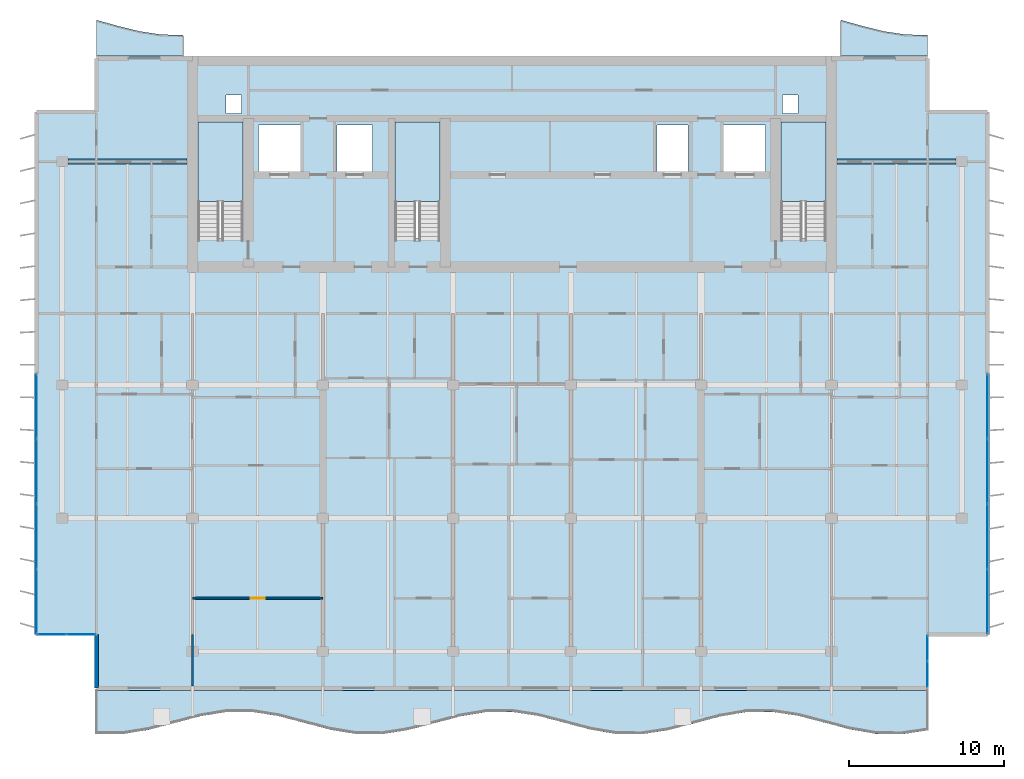
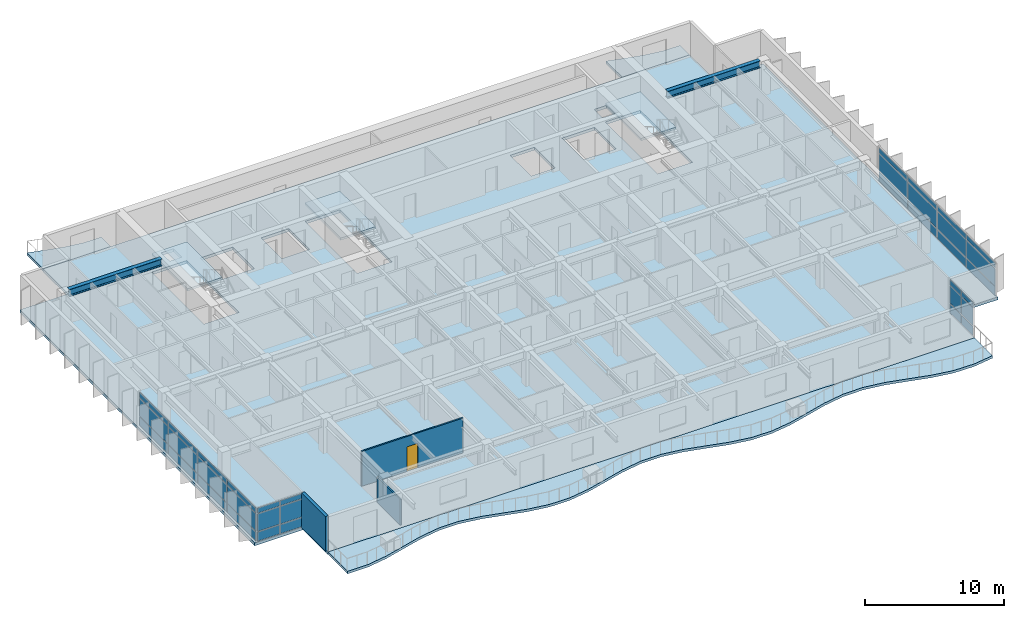
# One storey, part 5 of 16: 36 plates, 7 slabs, 3 walls, 2 beams, 1 door, 1 opening, 7 elements without a shape of their own.
"""IFC4 building model written with IfcOpenShell, lengths in metres."""

from ifc_helpers import new_model, si_unit, direction, frame, frame_2d, origin, origin_2d, place, context, subcontext, project, spatial, polyline, rectangle, i_section, outline, extrude, material, layer, layer_set, material_profile, profile_set, type_object, element, fill, aggregate, save


model = new_model("IFC4")

# Units and contexts
model_context = context("Model", 3, precision=1e-05, world=origin(), true_north=direction((0.0, 1.0)))
body_context = subcontext(model_context, "Body", "Model", "MODEL_VIEW")
ifc_project = project(units=[si_unit("LENGTHUNIT", "METRE"), si_unit("AREAUNIT", "SQUARE_METRE"), si_unit("VOLUMEUNIT", "CUBIC_METRE"), si_unit("PLANEANGLEUNIT", "RADIAN"), si_unit("MASSUNIT", "GRAM", prefix="KILO")], contexts=[model_context])

# Site, building, storey
site_placement = place(None, origin())
site = spatial("IfcSite", under=ifc_project, at=site_placement, CompositionType="ELEMENT")
building_placement = place(site_placement, origin())
building = spatial("IfcBuilding", under=site, at=building_placement, Name="Caelmar Bay Residences", CompositionType="ELEMENT")
storey_placement = place(building_placement, frame((0.0, 0.0, 239.699951171875)))
storey = spatial("IfcBuildingStorey", under=building, at=storey_placement, Name="L67", CompositionType="ELEMENT", Elevation=239.699951171875)

# Beams
ifc_material_1 = material(Name="Steel ASTM A992 Grade 50", Category="steel")
ifc_material_profile = material_profile(ifc_material_1, i_section(OverallWidth=0.324951171875, OverallDepth=0.616943359375, WebThickness=0.013916015625, FlangeThickness=0.021484375, FilletRadius=0.0126953125, at=origin_2d()), Name="W24X117")
ifc_profile_set = profile_set([ifc_material_profile], Name="Steel ASTM A992 Grade 50")
beam_type = type_object("IfcBeamType", Name="BM-SPN-W24X117", PredefinedType="SPANDREL", material=ifc_profile_set)
beam_1_placement = place(storey_placement, frame((10.264892578125, 43.800048828125, 2.741455078125), z_axis=(1.0, 0.0, 0.0), x_axis=(0.0, 1.0, 0.0)))
element("IfcBeam", 1, at=beam_1_placement, inside=storey, type_object=beam_type, Name="L67 North-West Wing Core Tie Girder", PredefinedType="SPANDREL", context=body_context, shape_type="SweptSolid", body=[
    extrude(i_section(OverallWidth=0.324951171875, OverallDepth=0.616943359375, WebThickness=0.013916015625, FlangeThickness=0.021484375, FilletRadius=0.0126953125, at=origin_2d()), origin(), (0.0, 0.0, 1.0), 7.68505859375),
])
beam_2_placement = place(storey_placement, frame((59.85009765625, 43.800048828125, 2.741455078125), z_axis=(1.0, 0.0, 0.0), x_axis=(0.0, 1.0, 0.0)))
element("IfcBeam", 2, at=beam_2_placement, inside=storey, type_object=beam_type, Name="L67 North-East Wing Core Tie Girder", PredefinedType="SPANDREL", context=body_context, shape_type="SweptSolid", body=[
    extrude(i_section(OverallWidth=0.324951171875, OverallDepth=0.616943359375, WebThickness=0.013916015625, FlangeThickness=0.021484375, FilletRadius=0.0126953125, at=origin_2d()), origin(), (0.0, 0.0, 1.0), 7.684814453125),
])

# Curtain wall, plates
ifc_material_2 = material(Name="Anodised bronze aluminium 6063-T6 and laminated glass", Category="aluminium")
ifc_layer_1 = layer(ifc_material_2, 0.179931640625)
ifc_layer_set_1 = layer_set([ifc_layer_1], Name="Anodised bronze aluminium 6063-T6 and laminated glass")
curtain_wall_type_1 = type_object("IfcCurtainWallType", Name="CW6-NTC", PredefinedType="NOTDEFINED", material=ifc_layer_set_1)
curtain_wall_1_placement = place(storey_placement, origin())
curtain_wall_1 = element("IfcCurtainWall", 3, at=curtain_wall_1_placement, inside=storey, type_object=curtain_wall_type_1, Name="CW6 curtain wall L67", PredefinedType="NOTDEFINED")
ifc_material_3 = material(Name="Bronze-tinted laminated low-E hurricane glass 28 mm", Category="glass")
ifc_layer_2 = layer(ifc_material_3, 0.028076171875)
ifc_layer_set_2 = layer_set([ifc_layer_2], Name="Bronze-tinted laminated low-E hurricane glass 28 mm")
plate_type_1 = type_object("IfcPlateType", Name="CWP-GLZ28", PredefinedType="CURTAIN_PANEL", material=ifc_layer_set_2)
plate_1_placement = place(storey_placement, frame((9.232421875, 13.300048828125, 0.080078125), z_axis=(0.0, 0.0, 1.0), x_axis=(1.0, 0.0, 0.0)))
plate_1 = element("IfcPlate", 4, at=plate_1_placement, type_object=plate_type_1, Name="CW6 panel 1.1", PredefinedType="CURTAIN_PANEL", context=body_context, shape_type="SweptSolid", body=[
    extrude(rectangle(XDim=1.804931640625, YDim=0.028076171875, at=origin_2d()), origin(), (0.0, 0.0, 1.0), 0.780029296875),
])
plate_2_placement = place(storey_placement, frame((9.232421875, 13.300048828125, 0.93994140625), z_axis=(0.0, 0.0, 1.0), x_axis=(1.0, 0.0, 0.0)))
plate_2 = element("IfcPlate", 5, at=plate_2_placement, type_object=plate_type_1, Name="CW6 panel 1.2", PredefinedType="CURTAIN_PANEL", context=body_context, shape_type="SweptSolid", body=[
    extrude(rectangle(XDim=1.804931640625, YDim=0.028076171875, at=origin_2d()), origin(), (0.0, 0.0, 1.0), 1.52001953125),
])
plate_3_placement = place(storey_placement, frame((9.232421875, 13.300048828125, 2.5400390625), z_axis=(0.0, 0.0, 1.0), x_axis=(1.0, 0.0, 0.0)))
plate_3 = element("IfcPlate", 6, at=plate_3_placement, type_object=plate_type_1, Name="CW6 panel 1.3", PredefinedType="CURTAIN_PANEL", context=body_context, shape_type="SweptSolid", body=[
    extrude(rectangle(XDim=1.804931640625, YDim=0.028076171875, at=origin_2d()), origin(), (0.0, 0.0, 1.0), 0.429931640625),
])
plate_4_placement = place(storey_placement, frame((11.117431640625, 13.300048828125, 0.080078125), z_axis=(0.0, 0.0, 1.0), x_axis=(1.0, 0.0, 0.0)))
plate_4 = element("IfcPlate", 7, at=plate_4_placement, type_object=plate_type_1, Name="CW6 panel 2.1", PredefinedType="CURTAIN_PANEL", context=body_context, shape_type="SweptSolid", body=[
    extrude(rectangle(XDim=1.804931640625, YDim=0.028076171875, at=origin_2d()), origin(), (0.0, 0.0, 1.0), 0.780029296875),
])
plate_5_placement = place(storey_placement, frame((11.117431640625, 13.300048828125, 0.93994140625), z_axis=(0.0, 0.0, 1.0), x_axis=(1.0, 0.0, 0.0)))
plate_5 = element("IfcPlate", 8, at=plate_5_placement, type_object=plate_type_1, Name="CW6 panel 2.2", PredefinedType="CURTAIN_PANEL", context=body_context, shape_type="SweptSolid", body=[
    extrude(rectangle(XDim=1.804931640625, YDim=0.028076171875, at=origin_2d()), origin(), (0.0, 0.0, 1.0), 1.52001953125),
])
plate_6_placement = place(storey_placement, frame((11.117431640625, 13.300048828125, 2.5400390625), z_axis=(0.0, 0.0, 1.0), x_axis=(1.0, 0.0, 0.0)))
plate_6 = element("IfcPlate", 9, at=plate_6_placement, type_object=plate_type_1, Name="CW6 panel 2.3", PredefinedType="CURTAIN_PANEL", context=body_context, shape_type="SweptSolid", body=[
    extrude(rectangle(XDim=1.804931640625, YDim=0.028076171875, at=origin_2d()), origin(), (0.0, 0.0, 1.0), 0.429931640625),
])
aggregate(curtain_wall_1, [plate_1, plate_2, plate_3, plate_4, plate_5, plate_6])

curtain_wall_2_placement = place(storey_placement, origin())
curtain_wall_2 = element("IfcCurtainWall", 10, at=curtain_wall_2_placement, inside=storey, type_object=curtain_wall_type_1, Name="CW6 curtain wall L67", PredefinedType="NOTDEFINED")
plate_7_placement = place(storey_placement, frame((65.699951171875, 10.732421875, 0.080078125), z_axis=(0.0, 0.0, 1.0), x_axis=(0.0, 1.0, 0.0)))
plate_7 = element("IfcPlate", 11, at=plate_7_placement, type_object=plate_type_1, Name="CW6 panel 1.1", PredefinedType="CURTAIN_PANEL", context=body_context, shape_type="SweptSolid", body=[
    extrude(rectangle(XDim=1.60498046875, YDim=0.028076171875, at=origin_2d()), origin(), (0.0, 0.0, 1.0), 0.780029296875),
])
plate_8_placement = place(storey_placement, frame((65.699951171875, 10.732421875, 0.93994140625), z_axis=(0.0, 0.0, 1.0), x_axis=(0.0, 1.0, 0.0)))
plate_8 = element("IfcPlate", 12, at=plate_8_placement, type_object=plate_type_1, Name="CW6 panel 1.2", PredefinedType="CURTAIN_PANEL", context=body_context, shape_type="SweptSolid", body=[
    extrude(rectangle(XDim=1.60498046875, YDim=0.028076171875, at=origin_2d()), origin(), (0.0, 0.0, 1.0), 1.52001953125),
])
plate_9_placement = place(storey_placement, frame((65.699951171875, 10.732421875, 2.5400390625), z_axis=(0.0, 0.0, 1.0), x_axis=(0.0, 1.0, 0.0)))
plate_9 = element("IfcPlate", 13, at=plate_9_placement, type_object=plate_type_1, Name="CW6 panel 1.3", PredefinedType="CURTAIN_PANEL", context=body_context, shape_type="SweptSolid", body=[
    extrude(rectangle(XDim=1.60498046875, YDim=0.028076171875, at=origin_2d()), origin(), (0.0, 0.0, 1.0), 0.429931640625),
])
plate_10_placement = place(storey_placement, frame((65.699951171875, 12.41748046875, 0.080078125), z_axis=(0.0, 0.0, 1.0), x_axis=(0.0, 1.0, 0.0)))
plate_10 = element("IfcPlate", 14, at=plate_10_placement, type_object=plate_type_1, Name="CW6 panel 2.1", PredefinedType="CURTAIN_PANEL", context=body_context, shape_type="SweptSolid", body=[
    extrude(rectangle(XDim=1.60498046875, YDim=0.028076171875, at=origin_2d()), origin(), (0.0, 0.0, 1.0), 0.780029296875),
])
plate_11_placement = place(storey_placement, frame((65.699951171875, 12.41748046875, 0.93994140625), z_axis=(0.0, 0.0, 1.0), x_axis=(0.0, 1.0, 0.0)))
plate_11 = element("IfcPlate", 15, at=plate_11_placement, type_object=plate_type_1, Name="CW6 panel 2.2", PredefinedType="CURTAIN_PANEL", context=body_context, shape_type="SweptSolid", body=[
    extrude(rectangle(XDim=1.60498046875, YDim=0.028076171875, at=origin_2d()), origin(), (0.0, 0.0, 1.0), 1.52001953125),
])
plate_12_placement = place(storey_placement, frame((65.699951171875, 12.41748046875, 2.5400390625), z_axis=(0.0, 0.0, 1.0), x_axis=(0.0, 1.0, 0.0)))
plate_12 = element("IfcPlate", 16, at=plate_12_placement, type_object=plate_type_1, Name="CW6 panel 2.3", PredefinedType="CURTAIN_PANEL", context=body_context, shape_type="SweptSolid", body=[
    extrude(rectangle(XDim=1.60498046875, YDim=0.028076171875, at=origin_2d()), origin(), (0.0, 0.0, 1.0), 0.429931640625),
])
aggregate(curtain_wall_2, [plate_7, plate_8, plate_9, plate_10, plate_11, plate_12])

ifc_layer_3 = layer(ifc_material_2, 0.179931640625)
ifc_layer_set_3 = layer_set([ifc_layer_3], Name="Anodised bronze aluminium 6063-T6 and laminated glass")
curtain_wall_type_2 = type_object("IfcCurtainWallType", Name="CW5-Z4", PredefinedType="NOTDEFINED", material=ifc_layer_set_3)
curtain_wall_3_placement = place(storey_placement, origin())
curtain_wall_3 = element("IfcCurtainWall", 17, at=curtain_wall_3_placement, inside=storey, type_object=curtain_wall_type_2, Name="CW5 curtain wall L67", PredefinedType="NOTDEFINED")
ifc_material_4 = material(Name="Bronze-tinted laminated low-E hurricane glass 32 mm", Category="glass")
ifc_layer_4 = layer(ifc_material_4, 0.031982421875)
ifc_layer_set_4 = layer_set([ifc_layer_4], Name="Bronze-tinted laminated low-E hurricane glass 32 mm")
plate_type_2 = type_object("IfcPlateType", Name="CWP-GLZ32", PredefinedType="CURTAIN_PANEL", material=ifc_layer_set_4)
plate_13_placement = place(storey_placement, frame((8.25, 15.42626953125, 0.080078125), z_axis=(0.0, 0.0, 1.0), x_axis=(0.0, 1.0, 0.0)))
plate_13 = element("IfcPlate", 18, at=plate_13_placement, type_object=plate_type_2, Name="CW5 panel 1.1", PredefinedType="CURTAIN_PANEL", context=body_context, shape_type="SweptSolid", body=[
    extrude(rectangle(XDim=4.092529296875, YDim=0.031982421875, at=origin_2d()), origin(), (0.0, 0.0, 1.0), 0.780029296875),
])
plate_14_placement = place(storey_placement, frame((8.25, 15.42626953125, 0.93994140625), z_axis=(0.0, 0.0, 1.0), x_axis=(0.0, 1.0, 0.0)))
plate_14 = element("IfcPlate", 19, at=plate_14_placement, type_object=plate_type_2, Name="CW5 panel 1.2", PredefinedType="CURTAIN_PANEL", context=body_context, shape_type="SweptSolid", body=[
    extrude(rectangle(XDim=4.092529296875, YDim=0.031982421875, at=origin_2d()), origin(), (0.0, 0.0, 1.0), 1.52001953125),
])
plate_15_placement = place(storey_placement, frame((8.25, 15.42626953125, 2.5400390625), z_axis=(0.0, 0.0, 1.0), x_axis=(0.0, 1.0, 0.0)))
plate_15 = element("IfcPlate", 20, at=plate_15_placement, type_object=plate_type_2, Name="CW5 panel 1.3", PredefinedType="CURTAIN_PANEL", context=body_context, shape_type="SweptSolid", body=[
    extrude(rectangle(XDim=4.092529296875, YDim=0.031982421875, at=origin_2d()), origin(), (0.0, 0.0, 1.0), 0.429931640625),
])
plate_16_placement = place(storey_placement, frame((8.25, 19.61865234375, 0.080078125), z_axis=(0.0, 0.0, 1.0), x_axis=(0.0, 1.0, 0.0)))
plate_16 = element("IfcPlate", 21, at=plate_16_placement, type_object=plate_type_2, Name="CW5 panel 2.1", PredefinedType="CURTAIN_PANEL", context=body_context, shape_type="SweptSolid", body=[
    extrude(rectangle(XDim=4.132568359375, YDim=0.031982421875, at=origin_2d()), origin(), (0.0, 0.0, 1.0), 0.780029296875),
])
plate_17_placement = place(storey_placement, frame((8.25, 19.61865234375, 0.93994140625), z_axis=(0.0, 0.0, 1.0), x_axis=(0.0, 1.0, 0.0)))
plate_17 = element("IfcPlate", 22, at=plate_17_placement, type_object=plate_type_2, Name="CW5 panel 2.2", PredefinedType="CURTAIN_PANEL", context=body_context, shape_type="SweptSolid", body=[
    extrude(rectangle(XDim=4.132568359375, YDim=0.031982421875, at=origin_2d()), origin(), (0.0, 0.0, 1.0), 1.52001953125),
])
plate_18_placement = place(storey_placement, frame((8.25, 19.61865234375, 2.5400390625), z_axis=(0.0, 0.0, 1.0), x_axis=(0.0, 1.0, 0.0)))
plate_18 = element("IfcPlate", 23, at=plate_18_placement, type_object=plate_type_2, Name="CW5 panel 2.3", PredefinedType="CURTAIN_PANEL", context=body_context, shape_type="SweptSolid", body=[
    extrude(rectangle(XDim=4.132568359375, YDim=0.031982421875, at=origin_2d()), origin(), (0.0, 0.0, 1.0), 0.429931640625),
])
plate_19_placement = place(storey_placement, frame((8.25, 23.831298828125, 0.080078125), z_axis=(0.0, 0.0, 1.0), x_axis=(0.0, 1.0, 0.0)))
plate_19 = element("IfcPlate", 24, at=plate_19_placement, type_object=plate_type_2, Name="CW5 panel 3.1", PredefinedType="CURTAIN_PANEL", context=body_context, shape_type="SweptSolid", body=[
    extrude(rectangle(XDim=4.132568359375, YDim=0.031982421875, at=origin_2d()), origin(), (0.0, 0.0, 1.0), 0.780029296875),
])
plate_20_placement = place(storey_placement, frame((8.25, 23.831298828125, 0.93994140625), z_axis=(0.0, 0.0, 1.0), x_axis=(0.0, 1.0, 0.0)))
plate_20 = element("IfcPlate", 25, at=plate_20_placement, type_object=plate_type_2, Name="CW5 panel 3.2", PredefinedType="CURTAIN_PANEL", context=body_context, shape_type="SweptSolid", body=[
    extrude(rectangle(XDim=4.132568359375, YDim=0.031982421875, at=origin_2d()), origin(), (0.0, 0.0, 1.0), 1.52001953125),
])
plate_21_placement = place(storey_placement, frame((8.25, 23.831298828125, 2.5400390625), z_axis=(0.0, 0.0, 1.0), x_axis=(0.0, 1.0, 0.0)))
plate_21 = element("IfcPlate", 26, at=plate_21_placement, type_object=plate_type_2, Name="CW5 panel 3.3", PredefinedType="CURTAIN_PANEL", context=body_context, shape_type="SweptSolid", body=[
    extrude(rectangle(XDim=4.132568359375, YDim=0.031982421875, at=origin_2d()), origin(), (0.0, 0.0, 1.0), 0.429931640625),
])
plate_22_placement = place(storey_placement, frame((8.25, 28.023681640625, 0.080078125), z_axis=(0.0, 0.0, 1.0), x_axis=(0.0, 1.0, 0.0)))
plate_22 = element("IfcPlate", 27, at=plate_22_placement, type_object=plate_type_2, Name="CW5 panel 4.1", PredefinedType="CURTAIN_PANEL", context=body_context, shape_type="SweptSolid", body=[
    extrude(rectangle(XDim=4.092529296875, YDim=0.031982421875, at=origin_2d()), origin(), (0.0, 0.0, 1.0), 0.780029296875),
])
plate_23_placement = place(storey_placement, frame((8.25, 28.023681640625, 0.93994140625), z_axis=(0.0, 0.0, 1.0), x_axis=(0.0, 1.0, 0.0)))
plate_23 = element("IfcPlate", 28, at=plate_23_placement, type_object=plate_type_2, Name="CW5 panel 4.2", PredefinedType="CURTAIN_PANEL", context=body_context, shape_type="SweptSolid", body=[
    extrude(rectangle(XDim=4.092529296875, YDim=0.031982421875, at=origin_2d()), origin(), (0.0, 0.0, 1.0), 1.52001953125),
])
plate_24_placement = place(storey_placement, frame((8.25, 28.023681640625, 2.5400390625), z_axis=(0.0, 0.0, 1.0), x_axis=(0.0, 1.0, 0.0)))
plate_24 = element("IfcPlate", 29, at=plate_24_placement, type_object=plate_type_2, Name="CW5 panel 4.3", PredefinedType="CURTAIN_PANEL", context=body_context, shape_type="SweptSolid", body=[
    extrude(rectangle(XDim=4.092529296875, YDim=0.031982421875, at=origin_2d()), origin(), (0.0, 0.0, 1.0), 0.429931640625),
])
aggregate(curtain_wall_3, [plate_13, plate_14, plate_15, plate_16, plate_17, plate_18, plate_19, plate_20, plate_21, plate_22, plate_23, plate_24])

curtain_wall_4_placement = place(storey_placement, origin())
curtain_wall_4 = element("IfcCurtainWall", 30, at=curtain_wall_4_placement, inside=storey, type_object=curtain_wall_type_2, Name="CW5 curtain wall L67", PredefinedType="NOTDEFINED")
plate_25_placement = place(storey_placement, frame((69.550048828125, 28.023681640625, 0.080078125), z_axis=(0.0, 0.0, 1.0), x_axis=(0.0, -1.0, 0.0)))
plate_25 = element("IfcPlate", 31, at=plate_25_placement, type_object=plate_type_2, Name="CW5 panel 1.1", PredefinedType="CURTAIN_PANEL", context=body_context, shape_type="SweptSolid", body=[
    extrude(rectangle(XDim=4.092529296875, YDim=0.031982421875, at=origin_2d()), origin(), (0.0, 0.0, 1.0), 0.780029296875),
])
plate_26_placement = place(storey_placement, frame((69.550048828125, 28.023681640625, 0.93994140625), z_axis=(0.0, 0.0, 1.0), x_axis=(0.0, -1.0, 0.0)))
plate_26 = element("IfcPlate", 32, at=plate_26_placement, type_object=plate_type_2, Name="CW5 panel 1.2", PredefinedType="CURTAIN_PANEL", context=body_context, shape_type="SweptSolid", body=[
    extrude(rectangle(XDim=4.092529296875, YDim=0.031982421875, at=origin_2d()), origin(), (0.0, 0.0, 1.0), 1.52001953125),
])
plate_27_placement = place(storey_placement, frame((69.550048828125, 28.023681640625, 2.5400390625), z_axis=(0.0, 0.0, 1.0), x_axis=(0.0, -1.0, 0.0)))
plate_27 = element("IfcPlate", 33, at=plate_27_placement, type_object=plate_type_2, Name="CW5 panel 1.3", PredefinedType="CURTAIN_PANEL", context=body_context, shape_type="SweptSolid", body=[
    extrude(rectangle(XDim=4.092529296875, YDim=0.031982421875, at=origin_2d()), origin(), (0.0, 0.0, 1.0), 0.429931640625),
])
plate_28_placement = place(storey_placement, frame((69.550048828125, 23.831298828125, 0.080078125), z_axis=(0.0, 0.0, 1.0), x_axis=(0.0, -1.0, 0.0)))
plate_28 = element("IfcPlate", 34, at=plate_28_placement, type_object=plate_type_2, Name="CW5 panel 2.1", PredefinedType="CURTAIN_PANEL", context=body_context, shape_type="SweptSolid", body=[
    extrude(rectangle(XDim=4.132568359375, YDim=0.031982421875, at=origin_2d()), origin(), (0.0, 0.0, 1.0), 0.780029296875),
])
plate_29_placement = place(storey_placement, frame((69.550048828125, 23.831298828125, 0.93994140625), z_axis=(0.0, 0.0, 1.0), x_axis=(0.0, -1.0, 0.0)))
plate_29 = element("IfcPlate", 35, at=plate_29_placement, type_object=plate_type_2, Name="CW5 panel 2.2", PredefinedType="CURTAIN_PANEL", context=body_context, shape_type="SweptSolid", body=[
    extrude(rectangle(XDim=4.132568359375, YDim=0.031982421875, at=origin_2d()), origin(), (0.0, 0.0, 1.0), 1.52001953125),
])
plate_30_placement = place(storey_placement, frame((69.550048828125, 23.831298828125, 2.5400390625), z_axis=(0.0, 0.0, 1.0), x_axis=(0.0, -1.0, 0.0)))
plate_30 = element("IfcPlate", 36, at=plate_30_placement, type_object=plate_type_2, Name="CW5 panel 2.3", PredefinedType="CURTAIN_PANEL", context=body_context, shape_type="SweptSolid", body=[
    extrude(rectangle(XDim=4.132568359375, YDim=0.031982421875, at=origin_2d()), origin(), (0.0, 0.0, 1.0), 0.429931640625),
])
plate_31_placement = place(storey_placement, frame((69.550048828125, 19.61865234375, 0.080078125), z_axis=(0.0, 0.0, 1.0), x_axis=(0.0, -1.0, 0.0)))
plate_31 = element("IfcPlate", 37, at=plate_31_placement, type_object=plate_type_2, Name="CW5 panel 3.1", PredefinedType="CURTAIN_PANEL", context=body_context, shape_type="SweptSolid", body=[
    extrude(rectangle(XDim=4.132568359375, YDim=0.031982421875, at=origin_2d()), origin(), (0.0, 0.0, 1.0), 0.780029296875),
])
plate_32_placement = place(storey_placement, frame((69.550048828125, 19.61865234375, 0.93994140625), z_axis=(0.0, 0.0, 1.0), x_axis=(0.0, -1.0, 0.0)))
plate_32 = element("IfcPlate", 38, at=plate_32_placement, type_object=plate_type_2, Name="CW5 panel 3.2", PredefinedType="CURTAIN_PANEL", context=body_context, shape_type="SweptSolid", body=[
    extrude(rectangle(XDim=4.132568359375, YDim=0.031982421875, at=origin_2d()), origin(), (0.0, 0.0, 1.0), 1.52001953125),
])
plate_33_placement = place(storey_placement, frame((69.550048828125, 19.61865234375, 2.5400390625), z_axis=(0.0, 0.0, 1.0), x_axis=(0.0, -1.0, 0.0)))
plate_33 = element("IfcPlate", 39, at=plate_33_placement, type_object=plate_type_2, Name="CW5 panel 3.3", PredefinedType="CURTAIN_PANEL", context=body_context, shape_type="SweptSolid", body=[
    extrude(rectangle(XDim=4.132568359375, YDim=0.031982421875, at=origin_2d()), origin(), (0.0, 0.0, 1.0), 0.429931640625),
])
plate_34_placement = place(storey_placement, frame((69.550048828125, 15.42626953125, 0.080078125), z_axis=(0.0, 0.0, 1.0), x_axis=(0.0, -1.0, 0.0)))
plate_34 = element("IfcPlate", 40, at=plate_34_placement, type_object=plate_type_2, Name="CW5 panel 4.1", PredefinedType="CURTAIN_PANEL", context=body_context, shape_type="SweptSolid", body=[
    extrude(rectangle(XDim=4.092529296875, YDim=0.031982421875, at=origin_2d()), origin(), (0.0, 0.0, 1.0), 0.780029296875),
])
plate_35_placement = place(storey_placement, frame((69.550048828125, 15.42626953125, 0.93994140625), z_axis=(0.0, 0.0, 1.0), x_axis=(0.0, -1.0, 0.0)))
plate_35 = element("IfcPlate", 41, at=plate_35_placement, type_object=plate_type_2, Name="CW5 panel 4.2", PredefinedType="CURTAIN_PANEL", context=body_context, shape_type="SweptSolid", body=[
    extrude(rectangle(XDim=4.092529296875, YDim=0.031982421875, at=origin_2d()), origin(), (0.0, 0.0, 1.0), 1.52001953125),
])
plate_36_placement = place(storey_placement, frame((69.550048828125, 15.42626953125, 2.5400390625), z_axis=(0.0, 0.0, 1.0), x_axis=(0.0, -1.0, 0.0)))
plate_36 = element("IfcPlate", 42, at=plate_36_placement, type_object=plate_type_2, Name="CW5 panel 4.3", PredefinedType="CURTAIN_PANEL", context=body_context, shape_type="SweptSolid", body=[
    extrude(rectangle(XDim=4.092529296875, YDim=0.031982421875, at=origin_2d()), origin(), (0.0, 0.0, 1.0), 0.429931640625),
])
aggregate(curtain_wall_4, [plate_25, plate_26, plate_27, plate_28, plate_29, plate_30, plate_31, plate_32, plate_33, plate_34, plate_35, plate_36])

# Slabs
ifc_material_5 = material(Name="Concrete f'c 40 MPa (6,000 psi)", Category="concrete")
ifc_layer_5 = layer(ifc_material_5, 0.219970703125)
ifc_layer_set_5 = layer_set([ifc_layer_5], Name="Concrete f'c 40 MPa (6,000 psi)")
slab_type_1 = type_object("IfcSlabType", Name="SLB-BAL-220", PredefinedType="FLOOR", material=ifc_layer_set_5)
slab_1_placement = place(storey_placement, frame((0.0, 0.0, -0.219970703125)))
element("IfcSlab", 43, at=slab_1_placement, inside=storey, type_object=slab_type_1, Name="L67 Sinusoidal Tree-Balcony Slab south", PredefinedType="FLOOR", context=body_context, shape_type="SweptSolid", body=[
    extrude(outline(polyline([(12.10009765625, 6.88671875), (13.77490234375, 6.88623046875), (15.449951171875, 7.156982421875), (17.125, 7.595703125), (18.800048828125, 8.036376953125), (20.47509765625, 8.31103515625), (22.14990234375, 8.31591796875), (23.824951171875, 8.048583984375), (25.5, 7.611083984375), (27.175048828125, 7.16943359375), (28.85009765625, 6.89111328125), (30.52490234375, 6.882080078125), (32.199951171875, 7.145751953125), (33.875, 7.581787109375), (35.550048828125, 8.02490234375), (37.22509765625, 8.306396484375), (38.89990234375, 8.31982421875), (40.574951171875, 8.059814453125), (42.25, 7.625244140625), (43.925048828125, 7.180908203125), (45.60009765625, 6.89599609375), (47.27490234375, 6.878173828125), (48.949951171875, 7.134521484375), (50.625, 7.56787109375), (52.300048828125, 8.01318359375), (53.97509765625, 8.3017578125), (55.64990234375, 8.32373046875), (57.324951171875, 8.07080078125), (59.0, 7.639404296875), (60.675048828125, 7.192626953125), (62.35009765625, 6.90087890625), (64.02490234375, 6.87451171875), (65.699951171875, 7.123779296875), (65.699951171875, 9.699951171875), (12.10009765625, 9.699951171875), (12.10009765625, 6.88671875)])), origin(), (0.0, 0.0, 1.0), 0.219970703125),
])
slab_2_placement = place(storey_placement, frame((0.0, 0.0, -0.219970703125)))
element("IfcSlab", 44, at=slab_2_placement, inside=storey, type_object=slab_type_1, Name="L67 Sinusoidal Tree-Balcony Slab north_west", PredefinedType="FLOOR", context=body_context, shape_type="SweptSolid", body=[
    extrude(outline(polyline([(12.10009765625, 50.60009765625), (17.699951171875, 50.60009765625), (17.699951171875, 51.96630859375), (16.300048828125, 51.98681640625), (14.89990234375, 52.1982421875), (13.5, 52.544189453125), (12.10009765625, 52.931884765625), (12.10009765625, 50.60009765625)])), origin(), (0.0, 0.0, 1.0), 0.219970703125),
])
slab_3_placement = place(storey_placement, frame((0.0, 0.0, -0.219970703125)))
element("IfcSlab", 45, at=slab_3_placement, inside=storey, type_object=slab_type_1, Name="L67 Sinusoidal Tree-Balcony Slab north_east", PredefinedType="FLOOR", context=body_context, shape_type="SweptSolid", body=[
    extrude(outline(polyline([(60.10009765625, 50.60009765625), (65.699951171875, 50.60009765625), (65.699951171875, 51.96630859375), (64.300048828125, 51.98681640625), (62.89990234375, 52.1982421875), (61.5, 52.544189453125), (60.10009765625, 52.931884765625), (60.10009765625, 50.60009765625)])), origin(), (0.0, 0.0, 1.0), 0.219970703125),
])

# Stair, slab
stair_type = type_object("IfcStairType", Name="ST-TYP-165", PredefinedType="HALF_TURN_STAIR", material=ifc_material_5)
stair_1_placement = place(storey_placement, origin())
stair_1 = element("IfcStair", 46, at=stair_1_placement, inside=storey, type_object=stair_type, Name="L67 West Smokeproof Exit Stair ST1", PredefinedType="HALF_TURN_STAIR")
ifc_layer_6 = layer(ifc_material_5, 0.199951171875)
ifc_layer_set_6 = layer_set([ifc_layer_6], Name="Concrete f'c 40 MPa (6,000 psi)")
slab_type_2 = type_object("IfcSlabType", Name="SLB-LND-200", PredefinedType="LANDING", material=ifc_layer_set_6)
slab_4_placement = place(storey_placement, frame((0.0, 0.0, 1.449951171875)))
slab_4 = element("IfcSlab", 47, at=slab_4_placement, type_object=slab_type_2, Name="ST1 landing 1", PredefinedType="LANDING", context=body_context, shape_type="SweptSolid", body=[
    extrude(outline(polyline([(21.550048828125, 41.219970703125), (21.550048828125, 46.35009765625), (18.64990234375, 46.35009765625), (18.64990234375, 41.219970703125), (21.550048828125, 41.219970703125)])), origin(), (0.0, 0.0, 1.0), 0.2001953125),
])
aggregate(stair_1, [slab_4])

stair_2_placement = place(storey_placement, origin())
stair_2 = element("IfcStair", 48, at=stair_2_placement, inside=storey, type_object=stair_type, Name="L67 East Smokeproof Exit Stair ST2", PredefinedType="HALF_TURN_STAIR")
slab_5_placement = place(storey_placement, frame((0.0, 0.0, 1.449951171875)))
slab_5 = element("IfcSlab", 49, at=slab_5_placement, type_object=slab_type_2, Name="ST2 landing 1", PredefinedType="LANDING", context=body_context, shape_type="SweptSolid", body=[
    extrude(outline(polyline([(59.14990234375, 41.219970703125), (59.14990234375, 46.35009765625), (56.25, 46.35009765625), (56.25, 41.219970703125), (59.14990234375, 41.219970703125)])), origin(), (0.0, 0.0, 1.0), 0.2001953125),
])
aggregate(stair_2, [slab_5])

stair_3_placement = place(storey_placement, origin())
stair_3 = element("IfcStair", 50, at=stair_3_placement, inside=storey, type_object=stair_type, Name="L67 Central Smokeproof Exit Stair ST3", PredefinedType="HALF_TURN_STAIR")
slab_6_placement = place(storey_placement, frame((0.0, 0.0, 1.449951171875)))
slab_6 = element("IfcSlab", 51, at=slab_6_placement, type_object=slab_type_2, Name="ST3 landing 1", PredefinedType="LANDING", context=body_context, shape_type="SweptSolid", body=[
    extrude(outline(polyline([(34.25, 41.219970703125), (34.25, 46.35009765625), (31.35009765625, 46.35009765625), (31.35009765625, 41.219970703125), (34.25, 41.219970703125)])), origin(), (0.0, 0.0, 1.0), 0.2001953125),
])
aggregate(stair_3, [slab_6])

# Slab
ifc_layer_7 = layer(ifc_material_5, 0.25)
ifc_layer_set_7 = layer_set([ifc_layer_7], Name="Concrete f'c 40 MPa (6,000 psi)")
slab_type_3 = type_object("IfcSlabType", Name="SLB-RES-250", PredefinedType="FLOOR", material=ifc_layer_set_7)
slab_7_placement = place(storey_placement, frame((0.0, 0.0, -0.25)))
element("IfcSlab", 52, at=slab_7_placement, inside=storey, type_object=slab_type_3, Name="L67 Structural Floor Slab", PredefinedType="FLOOR", context=body_context, shape_type="SweptSolid", body=[
    extrude(outline(polyline([(12.10009765625, 9.699951171875), (65.699951171875, 9.699951171875), (65.699951171875, 13.300048828125), (69.699951171875, 13.300048828125), (69.699951171875, 47.0), (65.699951171875, 47.0), (65.699951171875, 50.60009765625), (12.10009765625, 50.60009765625), (12.10009765625, 47.0), (8.10009765625, 47.0), (8.10009765625, 13.300048828125), (12.10009765625, 13.300048828125), (12.10009765625, 9.699951171875)]), holes=[polyline([(18.64990234375, 38.85009765625), (21.550048828125, 38.85009765625), (21.550048828125, 46.35009765625), (18.64990234375, 46.35009765625), (18.64990234375, 38.85009765625)]), polyline([(56.25, 38.85009765625), (59.14990234375, 38.85009765625), (59.14990234375, 46.35009765625), (56.25, 46.35009765625), (56.25, 38.85009765625)]), polyline([(31.35009765625, 38.85009765625), (34.25, 38.85009765625), (34.25, 46.35009765625), (31.35009765625, 46.35009765625), (31.35009765625, 38.85009765625)]), polyline([(22.550048828125, 43.050048828125), (25.25, 43.050048828125), (25.25, 46.14990234375), (22.550048828125, 46.14990234375), (22.550048828125, 43.050048828125)]), polyline([(52.550048828125, 43.050048828125), (55.25, 43.050048828125), (55.25, 46.14990234375), (52.550048828125, 46.14990234375), (52.550048828125, 43.050048828125)]), polyline([(48.25, 43.14990234375), (50.25, 43.14990234375), (50.25, 46.14990234375), (48.25, 46.14990234375), (48.25, 43.14990234375)]), polyline([(27.60009765625, 43.14990234375), (29.89990234375, 43.14990234375), (29.89990234375, 46.14990234375), (27.60009765625, 46.14990234375), (27.60009765625, 43.14990234375)]), polyline([(20.449951171875, 46.89990234375), (21.449951171875, 46.89990234375), (21.449951171875, 48.10009765625), (20.449951171875, 48.10009765625), (20.449951171875, 46.89990234375)]), polyline([(56.35009765625, 46.89990234375), (57.35009765625, 46.89990234375), (57.35009765625, 48.10009765625), (56.35009765625, 48.10009765625), (56.35009765625, 46.89990234375)])]), origin(), (0.0, 0.0, 1.0), 0.25),
])

# Walls
ifc_material_6 = material(Name="Precast concrete f'c 40 MPa (6,000 psi)", Category="concrete")
ifc_layer_8 = layer(ifc_material_6, 0.25)
ifc_layer_set_8 = layer_set([ifc_layer_8], Name="Precast concrete f'c 40 MPa (6,000 psi)")
wall_type_1 = type_object("IfcWallType", Name="W-EXT-250", PredefinedType="ELEMENTEDWALL", material=ifc_layer_set_8)
wall_1_placement = place(storey_placement, frame((12.10009765625, 13.300048828125, 0.0), z_axis=(0.0, 0.0, 1.0), x_axis=(0.0, -1.0, 0.0)))
element("IfcWall", 53, at=wall_1_placement, inside=storey, type_object=wall_type_1, Name="L67 SW Notch Return Wall", PredefinedType="ELEMENTEDWALL", context=body_context, shape_type="SweptSolid", body=[
    extrude(rectangle(XDim=3.449951171875, YDim=0.25, at=frame_2d((1.72509765625, 0.0))), origin(), (0.0, 0.0, 1.0), 3.050048828125),
])
ifc_material_7 = material(Name="Acoustic metal-stud gypsum partition 120 mm")
ifc_layer_9 = layer(ifc_material_7, 0.1201171875)
ifc_layer_set_9 = layer_set([ifc_layer_9], Name="Acoustic metal-stud gypsum partition 120 mm")
wall_type_2 = type_object("IfcWallType", Name="W-PRT-120", PredefinedType="PARTITIONING", material=ifc_layer_set_9)
wall_2_placement = place(storey_placement, frame((18.300048828125, 9.9951171875, 0.0), z_axis=(0.0, 0.0, 1.0), x_axis=(0.0, 1.0, 0.0)))
element("IfcWall", 54, at=wall_2_placement, inside=storey, type_object=wall_type_2, Name="L67 Partition Wall V008", PredefinedType="PARTITIONING", context=body_context, shape_type="SweptSolid", body=[
    extrude(rectangle(XDim=3.304931640625, YDim=0.1201171875, at=frame_2d((1.65234375, 0.0))), origin(), (0.0, 0.0, 1.0), 2.262939453125),
])

# Wall, opening, door
wall_3_placement = place(storey_placement, frame((18.300048828125, 15.64990234375, 0.0), z_axis=(0.0, 0.0, 1.0), x_axis=(1.0, 0.0, 0.0)))
wall_3 = element("IfcWall", 55, at=wall_3_placement, inside=storey, type_object=wall_type_2, Name="L67 Partition Wall H063", PredefinedType="PARTITIONING", context=body_context, shape_type="SweptSolid", body=[
    extrude(rectangle(XDim=8.39990234375, YDim=0.1201171875, at=frame_2d((4.199951171875, 0.0))), origin(), (0.0, 0.0, 1.0), 3.050048828125),
])
opening_placement = place(wall_3_placement, frame((3.75, 0.0, 0.0)))
opening = element("IfcOpeningElement", 56, at=opening_placement, cuts=wall_3, Name="Opening D-L67-128", PredefinedType="OPENING", context=body_context, shape_type="SweptSolid", body=[
    extrude(rectangle(XDim=0.89990234375, YDim=2.14990234375, at=frame_2d((0.449951171875, 1.074951171875))), frame((0.0, 0.070068359375, 0.0), z_axis=(0.0, -1.0, 0.0), x_axis=(1.0, 0.0, 0.0)), (0.0, 0.0, 1.0), 0.14013671875),
])
ifc_material_8 = material(Name="Solid walnut timber interior door leaf and frame", Category="wood")
ifc_layer_10 = layer(ifc_material_8, 0.050048828125)
ifc_layer_set_10 = layer_set([ifc_layer_10], Name="Solid walnut timber interior door leaf and frame")
door_type = type_object("IfcDoorType", Name="D-ROOM-900", OperationType="NOTDEFINED", PredefinedType="DOOR", material=ifc_layer_set_10)
door_placement = place(opening_placement, origin())
door = element("IfcDoor", 57, at=door_placement, inside=storey, type_object=door_type, Name="L67 Residence 01 Primary Bedroom 1 Door", OperationType="SINGLE_SWING_LEFT", OverallHeight=2.14990234375, OverallWidth=0.89990234375, PredefinedType="DOOR", context=body_context, shape_type="SweptSolid", body=[
    extrude(rectangle(XDim=0.89990234375, YDim=2.14990234375, at=frame_2d((0.449951171875, 1.074951171875))), frame((0.0, 0.02490234375, 0.0), z_axis=(0.0, -1.0, 0.0), x_axis=(1.0, 0.0, 0.0)), (0.0, 0.0, 1.0), 0.050048828125),
])
fill(opening, door)

save(model, "model.ifc")
